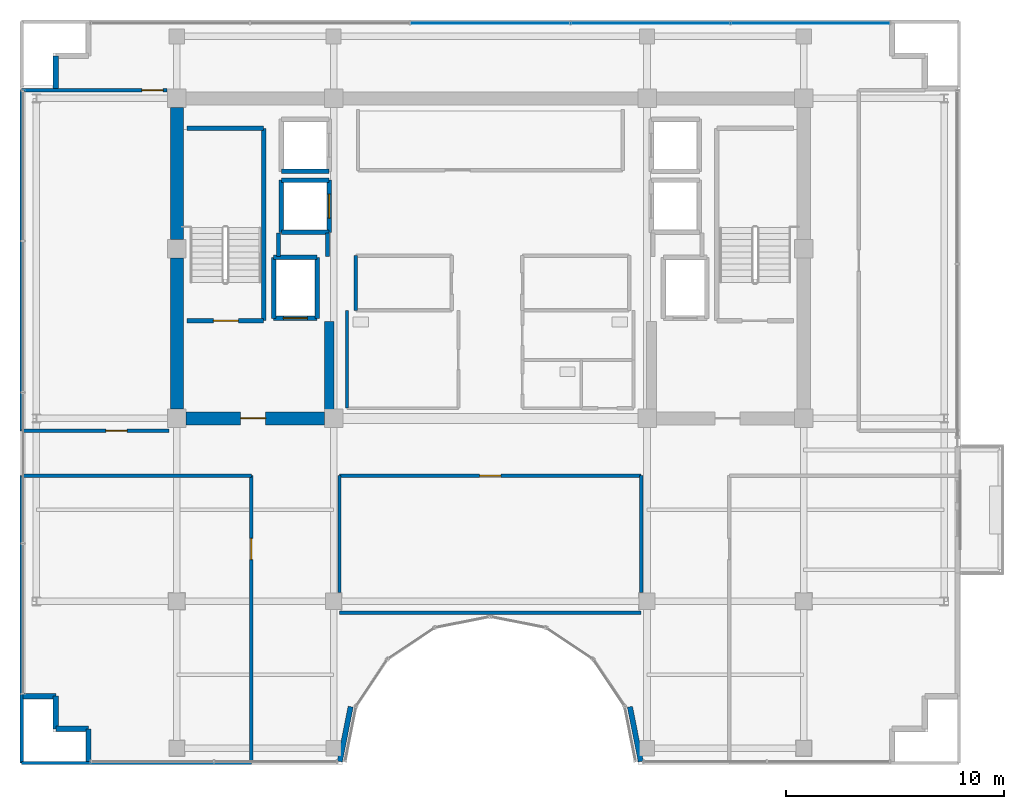
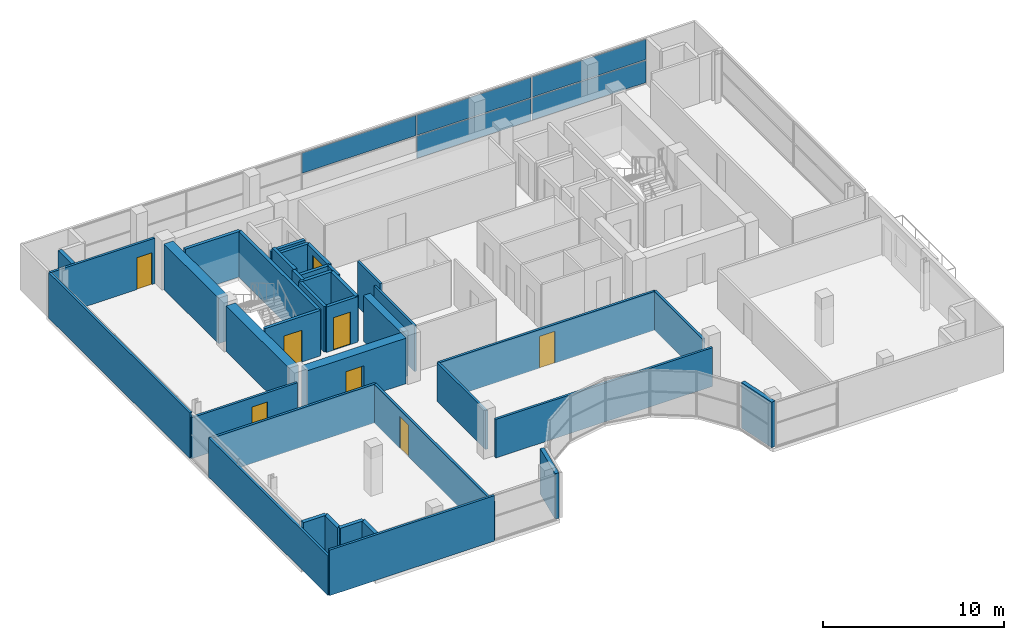
# One storey, part 23 of 29: 38 walls, 8 doors, 5 plates, 8 openings, 1 element without a shape of its own.
"""IFC4 building model written with IfcOpenShell, lengths in metres."""

from ifc_helpers import new_model, si_unit, direction, frame, frame_2d, origin, origin_2d, place, context, subcontext, project, spatial, rectangle, extrude, source, transform, mapped, material, layer, layer_set, type_object, element, fill, aggregate, save


model = new_model("IFC4")

# Units and contexts
model_context = context("Model", 3, precision=1e-05, world=origin(), true_north=direction((0.0, 1.0)))
body_context = subcontext(model_context, "Body", "Model", "MODEL_VIEW")
ifc_project = project(units=[si_unit("LENGTHUNIT", "METRE"), si_unit("AREAUNIT", "SQUARE_METRE"), si_unit("VOLUMEUNIT", "CUBIC_METRE"), si_unit("PLANEANGLEUNIT", "RADIAN"), si_unit("MASSUNIT", "GRAM", prefix="KILO")], contexts=[model_context])

# Site, building, storey
site_placement = place(None, origin())
site = spatial("IfcSite", under=ifc_project, at=site_placement, CompositionType="ELEMENT")
building_placement = place(site_placement, origin())
building = spatial("IfcBuilding", under=site, at=building_placement, Name="Zarnakvel Exchange Tower", CompositionType="ELEMENT")
storey_placement = place(building_placement, frame((0.0, 0.0, 265.0)))
storey = spatial("IfcBuildingStorey", under=building, at=storey_placement, Name="L75", CompositionType="ELEMENT", Elevation=265.0)

# Curtain wall, plates
ifc_material_1 = material(Name="Architectural Bronze Anodised Aluminium", Category="aluminium")
ifc_layer_1 = layer(ifc_material_1, 0.159912109375)
ifc_layer_set_1 = layer_set([ifc_layer_1], Name="Architectural Bronze Anodised Aluminium")
curtain_wall_type = type_object("IfcCurtainWallType", Name="CW-06", PredefinedType="NOTDEFINED", material=ifc_layer_set_1)
curtain_wall_placement = place(storey_placement, origin())
curtain_wall = element("IfcCurtainWall", 1, at=curtain_wall_placement, inside=storey, type_object=curtain_wall_type, Name="L75 Curtain Wall CW-L75-N1 (CW-06)", PredefinedType="NOTDEFINED")
ifc_material_2 = material(Name="Double Low-E Laminated Vision Glass", Category="glass")
ifc_layer_2 = layer(ifc_material_2, 0.033935546875)
ifc_layer_set_2 = layer_set([ifc_layer_2], Name="Double Low-E Laminated Vision Glass")
plate_type = type_object("IfcPlateType", Name="CWP-06", PredefinedType="CURTAIN_PANEL", material=ifc_layer_set_2)
shared_shape_1 = source(origin(), body_context, "Body", "SweptSolid", [
    extrude(rectangle(XDim=7.262451171875, YDim=0.033935546875, at=origin_2d()), origin(), (0.0, 0.0, 1.0), 1.4912109375),
])
plate_1_placement = place(storey_placement, frame((14.703857421875, 16.9599609375, 0.06494140625), z_axis=(0.0, 0.0, 1.0), x_axis=(1.0, 0.0, 0.0)))
plate_1 = element("IfcPlate", 2, at=plate_1_placement, type_object=plate_type, Name="CW-06 panel 5.1", PredefinedType="CURTAIN_PANEL", context=body_context, shape_type="MappedRepresentation", body=[
    mapped(shared_shape_1, transform((0.0, 0.0, 0.0), x_axis=(1.0, 0.0, 0.0), y_axis=(0.0, 1.0, 0.0), z_axis=(0.0, 0.0, 1.0), scale=1.0)),
])
shared_shape_2 = source(origin(), body_context, "Body", "SweptSolid", [
    extrude(rectangle(XDim=7.262451171875, YDim=0.033935546875, at=origin_2d()), origin(), (0.0, 0.0, 1.0), 1.368896484375),
])
plate_2_placement = place(storey_placement, frame((14.703857421875, 16.9599609375, 1.62109375), z_axis=(0.0, 0.0, 1.0), x_axis=(1.0, 0.0, 0.0)))
plate_2 = element("IfcPlate", 3, at=plate_2_placement, type_object=plate_type, Name="CW-06 panel 5.2", PredefinedType="CURTAIN_PANEL", context=body_context, shape_type="MappedRepresentation", body=[
    mapped(shared_shape_2, transform((0.0, 0.0, 0.0), x_axis=(1.0, 0.0, 0.0), y_axis=(0.0, 1.0, 0.0), z_axis=(0.0, 0.0, 1.0), scale=1.0)),
])
shared_shape_3 = source(origin(), body_context, "Body", "SweptSolid", [
    extrude(rectangle(XDim=7.294921875, YDim=0.033935546875, at=origin_2d()), origin(), (0.0, 0.0, 1.0), 1.4912109375),
])
plate_3_placement = place(storey_placement, frame((7.360107421875, 16.9599609375, 0.06494140625), z_axis=(0.0, 0.0, 1.0), x_axis=(1.0, 0.0, 0.0)))
plate_3 = element("IfcPlate", 4, at=plate_3_placement, type_object=plate_type, Name="CW-06 panel 4.1", PredefinedType="CURTAIN_PANEL", context=body_context, shape_type="MappedRepresentation", body=[
    mapped(shared_shape_3, transform((0.0, 0.0, 0.0), x_axis=(1.0, 0.0, 0.0), y_axis=(0.0, 1.0, 0.0), z_axis=(0.0, 0.0, 1.0), scale=1.0)),
])
shared_shape_4 = source(origin(), body_context, "Body", "SweptSolid", [
    extrude(rectangle(XDim=7.294921875, YDim=0.033935546875, at=origin_2d()), origin(), (0.0, 0.0, 1.0), 1.368896484375),
])
plate_4_placement = place(storey_placement, frame((0.0, 16.9599609375, 1.62109375), z_axis=(0.0, 0.0, 1.0), x_axis=(1.0, 0.0, 0.0)))
plate_4 = element("IfcPlate", 5, at=plate_4_placement, type_object=plate_type, Name="CW-06 panel 3.2", PredefinedType="CURTAIN_PANEL", context=body_context, shape_type="MappedRepresentation", body=[
    mapped(shared_shape_4, transform((0.0, 0.0, 0.0), x_axis=(1.0, 0.0, 0.0), y_axis=(0.0, 1.0, 0.0), z_axis=(0.0, 0.0, 1.0), scale=1.0)),
])
plate_5_placement = place(storey_placement, frame((7.360107421875, 16.9599609375, 1.62109375), z_axis=(0.0, 0.0, 1.0), x_axis=(1.0, 0.0, 0.0)))
plate_5 = element("IfcPlate", 6, at=plate_5_placement, type_object=plate_type, Name="CW-06 panel 4.2", PredefinedType="CURTAIN_PANEL", context=body_context, shape_type="MappedRepresentation", body=[
    mapped(shared_shape_4, transform((0.0, 0.0, 0.0), x_axis=(1.0, 0.0, 0.0), y_axis=(0.0, 1.0, 0.0), z_axis=(0.0, 0.0, 1.0), scale=1.0)),
])
aggregate(curtain_wall, [plate_4, plate_3, plate_5, plate_1, plate_2])

# Walls
ifc_material_3 = material(Name="Concrete C50/60", Category="concrete")
ifc_layer_3 = layer(ifc_material_3, 0.60009765625)
ifc_layer_set_3 = layer_set([ifc_layer_3], Name="Concrete C50/60")
wall_type_1 = type_object("IfcWallType", Name="CW-C5", PredefinedType="SHEAR", material=ifc_layer_set_3)
wall_1_placement = place(storey_placement, frame((-14.39990234375, -0.77490234375, 0.0), z_axis=(0.0, 0.0, 1.0), x_axis=(0.0, 1.0, 0.0)))
element("IfcWall", 7, at=wall_1_placement, inside=storey, type_object=wall_type_1, Name="L75 Rear Core Shear Wall W1 (CW-C5)", PredefinedType="SHEAR", context=body_context, shape_type="SweptSolid", body=[
    extrude(rectangle(XDim=6.949951171875, YDim=0.60009765625, at=frame_2d((3.47509765625, 0.0))), origin(), (0.0, 0.0, 1.0), 3.074951171875),
])
wall_2_placement = place(storey_placement, frame((-14.39990234375, 7.02490234375, 0.0), z_axis=(0.0, 0.0, 1.0), x_axis=(0.0, 1.0, 0.0)))
element("IfcWall", 8, at=wall_2_placement, inside=storey, type_object=wall_type_1, Name="L75 Rear Core Shear Wall W2 (CW-C5)", PredefinedType="SHEAR", context=body_context, shape_type="SweptSolid", body=[
    extrude(rectangle(XDim=6.050048828125, YDim=0.60009765625, at=frame_2d((3.02490234375, 0.0))), origin(), (0.0, 0.0, 1.0), 3.074951171875),
])

# Wall, opening, door
wall_3_placement = place(storey_placement, frame((-7.625, -1.199951171875, 0.0), z_axis=(0.0, 0.0, 1.0), x_axis=(-1.0, 0.0, 0.0)))
wall_3 = element("IfcWall", 9, at=wall_3_placement, inside=storey, type_object=wall_type_1, Name="L75 Rear Core Shear Wall SW (CW-C5)", PredefinedType="SHEAR", context=body_context, shape_type="SweptSolid", body=[
    extrude(rectangle(XDim=6.35009765625, YDim=0.60009765625, at=frame_2d((3.175048828125, 0.0))), origin(), (0.0, 0.0, 1.0), 3.074951171875),
])
opening_1_placement = place(wall_3_placement, frame((2.699951171875, 0.0, 0.0)))
opening_1 = element("IfcOpeningElement", 10, at=opening_1_placement, cuts=wall_3, Name="Opening D-L75-03", PredefinedType="OPENING", context=body_context, shape_type="SweptSolid", body=[
    extrude(rectangle(XDim=1.14990234375, YDim=2.14990234375, at=frame_2d((0.574951171875, 1.074951171875))), frame((0.0, 0.31005859375, 0.0), z_axis=(0.0, -1.0, 0.0), x_axis=(1.0, 0.0, 0.0)), (0.0, 0.0, 1.0), 0.6201171875),
])
ifc_material_4 = material(Name="Painted Galvanised Steel S355", Category="steel")
door_type_1 = type_object("IfcDoorType", Name="DT-04", OperationType="NOTDEFINED", PredefinedType="DOOR", material=ifc_material_4)
shared_shape_5 = source(origin(), body_context, "Body", "SweptSolid", [
    extrude(rectangle(XDim=1.14990234375, YDim=2.14990234375, at=frame_2d((0.574951171875, 1.074951171875))), frame((0.0, 0.02490234375, 0.0), z_axis=(0.0, -1.0, 0.0), x_axis=(1.0, 0.0, 0.0)), (0.0, 0.0, 1.0), 0.050048828125),
])
door_1_placement = place(opening_1_placement, origin())
door_1 = element("IfcDoor", 11, at=door_1_placement, inside=storey, type_object=door_type_1, Name="L75 Firefighting Lobby West Door D-L75-03", OperationType="SINGLE_SWING_LEFT", OverallHeight=2.14990234375, OverallWidth=1.14990234375, PredefinedType="DOOR", context=body_context, shape_type="MappedRepresentation", body=[
    mapped(shared_shape_5, transform((0.0, 0.0, 0.0), x_axis=(1.0, 0.0, 0.0), y_axis=(0.0, 1.0, 0.0), z_axis=(0.0, 0.0, 1.0), scale=1.0)),
])
fill(opening_1, door_1)

# Walls
ifc_layer_4 = layer(ifc_material_3, 0.449951171875)
ifc_layer_set_4 = layer_set([ifc_layer_4], Name="Concrete C50/60")
wall_type_2 = type_object("IfcWallType", Name="CW-C6", PredefinedType="SHEAR", material=ifc_layer_set_4)
wall_4_placement = place(storey_placement, frame((-7.39990234375, -0.89990234375, 0.0), z_axis=(0.0, 0.0, 1.0), x_axis=(0.0, 1.0, 0.0)))
element("IfcWall", 12, at=wall_4_placement, inside=storey, type_object=wall_type_2, Name="L75 Rear Core Shear Wall IW (CW-C6)", PredefinedType="SHEAR", context=body_context, shape_type="SweptSolid", body=[
    extrude(rectangle(XDim=4.14990234375, YDim=0.449951171875, at=frame_2d((2.074951171875, 0.0))), origin(), (0.0, 0.0, 1.0), 3.074951171875),
])
ifc_material_5 = material(Name="Precast concrete C40/50", Category="concrete")
ifc_layer_5 = layer(ifc_material_5, 0.239990234375)
ifc_layer_set_5 = layer_set([ifc_layer_5], Name="Precast concrete C40/50")
wall_type_3 = type_object("IfcWallType", Name="EW-02", PredefinedType="SOLIDWALL", material=ifc_layer_set_5)
wall_5_placement = place(storey_placement, frame((-19.9599609375, 15.4599609375, 0.0), z_axis=(0.0, 0.0, 1.0), x_axis=(0.0, -1.0, 0.0)))
element("IfcWall", 13, at=wall_5_placement, inside=storey, type_object=wall_type_3, Name="L75 Exterior Precast Spandrel Wall EWC-L75-02 (EW-02)", PredefinedType="SOLIDWALL", context=body_context, shape_type="SweptSolid", body=[
    extrude(rectangle(XDim=1.5, YDim=0.239990234375, at=frame_2d((0.75, 0.0))), origin(), (0.0, 0.0, 1.0), 3.074951171875),
])
for number, where, z_axis, x_axis, name in (
    (14, (6.414306640625, -14.443115234375, 0.0), (0.0, 0.0, 1.0), (0.195036545742, -0.980795975637, 0.0), "L75 Exterior Precast Spandrel Wall EWC-L75-15 (EW-02)"),
    (15, (-6.914794921875, -16.9599609375, 0.0), (0.0, 0.0, 1.0), (0.195036545742, 0.980795975637, 0.0), "L75 Exterior Precast Spandrel Wall EWC-L75-16 (EW-02)"),
):
    element("IfcWall", number, at=place(storey_placement, frame(where, z_axis=z_axis, x_axis=x_axis)), inside=storey, type_object=wall_type_3, Name=name, PredefinedType="SOLIDWALL", context=body_context, shape_type="SweptSolid", body=[
        extrude(rectangle(XDim=2.566162109375, YDim=0.239990234375, at=frame_2d((1.283203125, 0.0))), origin(), (0.0, 0.0, 1.0), 3.074951171875),
    ])
for number, where, z_axis, x_axis, name in (
    (16, (-18.4599609375, -15.4599609375, 0.0), (0.0, 0.0, 1.0), (0.0, -1.0, 0.0), "L75 Exterior Precast Spandrel Wall EWC-L75-17 (EW-02)"),
    (17, (-19.9599609375, -15.4599609375, 0.0), (0.0, 0.0, 1.0), (1.0, 0.0, 0.0), "L75 Exterior Precast Spandrel Wall EWC-L75-18 (EW-02)"),
    (18, (-19.9599609375, -13.9599609375, 0.0), (0.0, 0.0, 1.0), (0.0, -1.0, 0.0), "L75 Exterior Precast Spandrel Wall EWC-L75-19 (EW-02)"),
    (19, (-21.4599609375, -13.9599609375, 0.0), (0.0, 0.0, 1.0), (1.0, 0.0, 0.0), "L75 Exterior Precast Spandrel Wall EWC-L75-20 (EW-02)"),
):
    element("IfcWall", number, at=place(storey_placement, frame(where, z_axis=z_axis, x_axis=x_axis)), inside=storey, type_object=wall_type_3, Name=name, PredefinedType="SOLIDWALL", context=body_context, shape_type="SweptSolid", body=[
        extrude(rectangle(XDim=1.5, YDim=0.239990234375, at=frame_2d((0.75, 0.0))), origin(), (0.0, 0.0, 1.0), 3.074951171875),
    ])
ifc_material_6 = material(Name="Fire-Rated Gypsum Stud Partition", Category="gypsum")
ifc_layer_6 = layer(ifc_material_6, 0.14990234375)
ifc_layer_set_6 = layer_set([ifc_layer_6], Name="Fire-Rated Gypsum Stud Partition")
wall_type_4 = type_object("IfcWallType", Name="PT-01", PredefinedType="PARTITIONING", material=ifc_layer_set_6)
wall_6_placement = place(storey_placement, frame((-6.179931640625, 3.760009765625, 0.0), z_axis=(0.0, 0.0, 1.0), x_axis=(0.0, 1.0, 0.0)))
element("IfcWall", 20, at=wall_6_placement, inside=storey, type_object=wall_type_4, Name="L75 Partition Wall PWALL-L75-016 (PT-01)", PredefinedType="PARTITIONING", context=body_context, shape_type="SweptSolid", body=[
    extrude(rectangle(XDim=2.52001953125, YDim=0.14990234375, at=frame_2d((1.260009765625, 0.0))), origin(), (0.0, 0.0, 1.0), 3.074951171875),
])
wall_7_placement = place(storey_placement, frame((-10.97998046875, -17.030029296875, 0.0), z_axis=(0.0, 0.0, 1.0), x_axis=(-1.0, 0.0, 0.0)))
element("IfcWall", 21, at=wall_7_placement, inside=storey, type_object=wall_type_4, Name="L75 Partition Wall PWALL-L75-033 (PT-01)", PredefinedType="PARTITIONING", context=body_context, shape_type="SweptSolid", body=[
    extrude(rectangle(XDim=10.550048828125, YDim=0.14990234375, at=frame_2d((5.27490234375, 0.0))), origin(), (0.0, 0.0, 1.0), 3.074951171875),
])
wall_8_placement = place(storey_placement, frame((-21.530029296875, -3.830078125, 0.0), z_axis=(0.0, 0.0, 1.0), x_axis=(1.0, 0.0, 0.0)))
element("IfcWall", 22, at=wall_8_placement, inside=storey, type_object=wall_type_4, Name="L75 Partition Wall PWALL-L75-034 (PT-01)", PredefinedType="PARTITIONING", context=body_context, shape_type="SweptSolid", body=[
    extrude(rectangle(XDim=10.550048828125, YDim=0.14990234375, at=frame_2d((5.27490234375, 0.0))), origin(), (0.0, 0.0, 1.0), 2.614990234375),
])
wall_9_placement = place(storey_placement, frame((-21.530029296875, -17.030029296875, 0.0), z_axis=(0.0, 0.0, 1.0), x_axis=(0.0, 1.0, 0.0)))
element("IfcWall", 23, at=wall_9_placement, inside=storey, type_object=wall_type_4, Name="L75 Partition Wall PWALL-L75-035 (PT-01)", PredefinedType="PARTITIONING", context=body_context, shape_type="SweptSolid", body=[
    extrude(rectangle(XDim=13.199951171875, YDim=0.14990234375, at=frame_2d((6.60009765625, 0.0))), origin(), (0.0, 0.0, 1.0), 2.6650390625),
])

# Wall, opening, door
wall_10_placement = place(storey_placement, frame((-10.97998046875, -3.830078125, 0.0), z_axis=(0.0, 0.0, 1.0), x_axis=(0.0, -1.0, 0.0)))
wall_10 = element("IfcWall", 24, at=wall_10_placement, inside=storey, type_object=wall_type_4, Name="L75 Partition Wall PWALL-L75-036 (PT-01)", PredefinedType="PARTITIONING", context=body_context, shape_type="SweptSolid", body=[
    extrude(rectangle(XDim=13.199951171875, YDim=0.14990234375, at=frame_2d((6.60009765625, 0.0))), origin(), (0.0, 0.0, 1.0), 2.614990234375),
])
opening_2_placement = place(wall_10_placement, frame((2.8798828125, 0.0, 0.0)))
opening_2 = element("IfcOpeningElement", 25, at=opening_2_placement, cuts=wall_10, Name="Opening D-L75-12", PredefinedType="OPENING", context=body_context, shape_type="SweptSolid", body=[
    extrude(rectangle(XDim=0.97998046875, YDim=2.14990234375, at=frame_2d((0.489990234375, 1.074951171875))), frame((0.0, 0.0849609375, 0.0), z_axis=(0.0, -1.0, 0.0), x_axis=(1.0, 0.0, 0.0)), (0.0, 0.0, 1.0), 0.169921875),
])
ifc_material_7 = material(Name="Timber Acoustic Veneer", Category="wood")
door_type_2 = type_object("IfcDoorType", Name="DT-05", OperationType="NOTDEFINED", PredefinedType="DOOR", material=ifc_material_7)
shared_shape_6 = source(origin(), body_context, "Body", "SweptSolid", [
    extrude(rectangle(XDim=0.97998046875, YDim=2.14990234375, at=frame_2d((0.489990234375, 1.074951171875))), frame((0.0, 0.02490234375, 0.0), z_axis=(0.0, -1.0, 0.0), x_axis=(1.0, 0.0, 0.0)), (0.0, 0.0, 1.0), 0.050048828125),
])
door_2_placement = place(opening_2_placement, origin())
door_2 = element("IfcDoor", 26, at=door_2_placement, inside=storey, type_object=door_type_2, Name="L75 Commodities Dealing Room Door D-L75-12", OperationType="SINGLE_SWING_RIGHT", OverallHeight=2.14990234375, OverallWidth=0.97998046875, PredefinedType="DOOR", context=body_context, shape_type="MappedRepresentation", body=[
    mapped(shared_shape_6, transform((0.0, 0.0, 0.0), x_axis=(1.0, 0.0, 0.0), y_axis=(0.0, 1.0, 0.0), z_axis=(0.0, 0.0, 1.0), scale=1.0)),
])
fill(opening_2, door_2)

# Wall
wall_11_placement = place(storey_placement, frame((6.929931640625, -10.1298828125, 0.0), z_axis=(0.0, 0.0, 1.0), x_axis=(-1.0, 0.0, 0.0)))
element("IfcWall", 27, at=wall_11_placement, inside=storey, type_object=wall_type_4, Name="L75 Partition Wall PWALL-L75-041 (PT-01)", PredefinedType="PARTITIONING", context=body_context, shape_type="SweptSolid", body=[
    extrude(rectangle(XDim=13.85986328125, YDim=0.14990234375, at=frame_2d((6.929931640625, 0.0))), origin(), (0.0, 0.0, 1.0), 2.614990234375),
])

# Wall, opening, door
wall_12_placement = place(storey_placement, frame((-6.929931640625, -3.830078125, 0.0), z_axis=(0.0, 0.0, 1.0), x_axis=(1.0, 0.0, 0.0)))
wall_12 = element("IfcWall", 28, at=wall_12_placement, inside=storey, type_object=wall_type_4, Name="L75 Partition Wall PWALL-L75-042 (PT-01)", PredefinedType="PARTITIONING", context=body_context, shape_type="SweptSolid", body=[
    extrude(rectangle(XDim=13.85986328125, YDim=0.14990234375, at=frame_2d((6.929931640625, 0.0))), origin(), (0.0, 0.0, 1.0), 2.614990234375),
])
opening_3_placement = place(wall_12_placement, frame((6.43994140625, 0.0, 0.0)))
opening_3 = element("IfcOpeningElement", 29, at=opening_3_placement, cuts=wall_12, Name="Opening D-L75-14", PredefinedType="OPENING", context=body_context, shape_type="SweptSolid", body=[
    extrude(rectangle(XDim=0.97998046875, YDim=2.14990234375, at=frame_2d((0.489990234375, 1.074951171875))), frame((0.0, 0.0849609375, 0.0), z_axis=(0.0, -1.0, 0.0), x_axis=(1.0, 0.0, 0.0)), (0.0, 0.0, 1.0), 0.169921875),
])
door_3_placement = place(opening_3_placement, origin())
door_3 = element("IfcDoor", 30, at=door_3_placement, inside=storey, type_object=door_type_2, Name="L75 Breakout Lounge Door D-L75-14", OperationType="SINGLE_SWING_RIGHT", OverallHeight=2.14990234375, OverallWidth=0.97998046875, PredefinedType="DOOR", context=body_context, shape_type="MappedRepresentation", body=[
    mapped(shared_shape_6, transform((0.0, 0.0, 0.0), x_axis=(1.0, 0.0, 0.0), y_axis=(0.0, 1.0, 0.0), z_axis=(0.0, 0.0, 1.0), scale=1.0)),
])
fill(opening_3, door_3)

# Walls
for number, where, z_axis, x_axis, name in (
    (31, (-6.929931640625, -9.205078125, 0.0), (0.0, 0.0, 1.0), (0.0, 1.0, 0.0), "L75 Partition Wall PWALL-L75-043 (PT-01)"),
    (32, (6.929931640625, -3.830078125, 0.0), (0.0, 0.0, 1.0), (0.0, -1.0, 0.0), "L75 Partition Wall PWALL-L75-044 (PT-01)"),
):
    element("IfcWall", number, at=place(storey_placement, frame(where, z_axis=z_axis, x_axis=x_axis)), inside=storey, type_object=wall_type_4, Name=name, PredefinedType="PARTITIONING", context=body_context, shape_type="SweptSolid", body=[
        extrude(rectangle(XDim=5.375, YDim=0.14990234375, at=frame_2d((2.6875, 0.0))), origin(), (0.0, 0.0, 1.0), 2.614990234375),
    ])

# Wall, opening, door
wall_13_placement = place(storey_placement, frame((-14.77001953125, -1.77001953125, 0.0), z_axis=(0.0, 0.0, 1.0), x_axis=(-1.0, 0.0, 0.0)))
wall_13 = element("IfcWall", 33, at=wall_13_placement, inside=storey, type_object=wall_type_4, Name="L75 Partition Wall PWALL-L75-045 (PT-01)", PredefinedType="PARTITIONING", context=body_context, shape_type="SweptSolid", body=[
    extrude(rectangle(XDim=6.760009765625, YDim=0.14990234375, at=frame_2d((3.3798828125, 0.0))), origin(), (0.0, 0.0, 1.0), 2.764892578125),
])
opening_4_placement = place(wall_13_placement, frame((1.9150390625, 0.0, 0.0)))
opening_4 = element("IfcOpeningElement", 34, at=opening_4_placement, cuts=wall_13, Name="Opening D-L75-15", PredefinedType="OPENING", context=body_context, shape_type="SweptSolid", body=[
    extrude(rectangle(XDim=0.97998046875, YDim=2.14990234375, at=frame_2d((0.489990234375, 1.074951171875))), frame((0.0, 0.0849609375, 0.0), z_axis=(0.0, -1.0, 0.0), x_axis=(1.0, 0.0, 0.0)), (0.0, 0.0, 1.0), 0.169921875),
])
door_4_placement = place(opening_4_placement, origin())
door_4 = element("IfcDoor", 35, at=door_4_placement, inside=storey, type_object=door_type_2, Name="L75 Boardroom Door D-L75-15", OperationType="SINGLE_SWING_LEFT", OverallHeight=2.14990234375, OverallWidth=0.97998046875, PredefinedType="DOOR", context=body_context, shape_type="MappedRepresentation", body=[
    mapped(shared_shape_6, transform((0.0, 0.0, 0.0), x_axis=(1.0, 0.0, 0.0), y_axis=(0.0, 1.0, 0.0), z_axis=(0.0, 0.0, 1.0), scale=1.0)),
])
fill(opening_4, door_4)

wall_14_placement = place(storey_placement, frame((-21.530029296875, 13.8798828125, 0.0), z_axis=(0.0, 0.0, 1.0), x_axis=(1.0, 0.0, 0.0)))
wall_14 = element("IfcWall", 36, at=wall_14_placement, inside=storey, type_object=wall_type_4, Name="L75 Partition Wall PWALL-L75-046 (PT-01)", PredefinedType="PARTITIONING", context=body_context, shape_type="SweptSolid", body=[
    extrude(rectangle(XDim=6.68505859375, YDim=0.14990234375, at=frame_2d((3.342529296875, 0.0))), origin(), (0.0, 0.0, 1.0), 3.074951171875),
])
opening_5_placement = place(wall_14_placement, frame((5.52490234375, 0.0, 0.0)))
opening_5 = element("IfcOpeningElement", 37, at=opening_5_placement, cuts=wall_14, Name="Opening D-L75-17", PredefinedType="OPENING", context=body_context, shape_type="SweptSolid", body=[
    extrude(rectangle(XDim=0.97998046875, YDim=2.14990234375, at=frame_2d((0.489990234375, 1.074951171875))), frame((0.0, 0.0849609375, 0.0), z_axis=(0.0, -1.0, 0.0), x_axis=(1.0, 0.0, 0.0)), (0.0, 0.0, 1.0), 0.169921875),
])
door_5_placement = place(opening_5_placement, origin())
door_5 = element("IfcDoor", 38, at=door_5_placement, inside=storey, type_object=door_type_2, Name="L75 Fintech Workspace Door D-L75-17", OperationType="SINGLE_SWING_LEFT", OverallHeight=2.14990234375, OverallWidth=0.97998046875, PredefinedType="DOOR", context=body_context, shape_type="MappedRepresentation", body=[
    mapped(shared_shape_6, transform((0.0, 0.0, 0.0), x_axis=(1.0, 0.0, 0.0), y_axis=(0.0, 1.0, 0.0), z_axis=(0.0, 0.0, 1.0), scale=1.0)),
])
fill(opening_5, door_5)

# Walls
wall_15_placement = place(storey_placement, frame((-21.530029296875, -1.77001953125, 0.0), z_axis=(0.0, 0.0, 1.0), x_axis=(0.0, 1.0, 0.0)))
element("IfcWall", 39, at=wall_15_placement, inside=storey, type_object=wall_type_4, Name="L75 Partition Wall PWALL-L75-047 (PT-01)", PredefinedType="PARTITIONING", context=body_context, shape_type="SweptSolid", body=[
    extrude(rectangle(XDim=15.64990234375, YDim=0.14990234375, at=frame_2d((7.824951171875, 0.0))), origin(), (0.0, 0.0, 1.0), 3.074951171875),
])
ifc_layer_7 = layer(ifc_material_6, 0.179931640625)
ifc_layer_set_7 = layer_set([ifc_layer_7], Name="Fire-Rated Gypsum Stud Partition")
wall_type_5 = type_object("IfcWallType", Name="PT-02", PredefinedType="PARTITIONING", material=ifc_layer_set_7)
wall_16_placement = place(storey_placement, frame((-9.72998046875, 6.239990234375, 0.0), z_axis=(0.0, 0.0, 1.0), x_axis=(0.0, 1.0, 0.0)))
element("IfcWall", 40, at=wall_16_placement, inside=storey, type_object=wall_type_5, Name="L75 Partition Wall PWALL-L75-007 (PT-02)", PredefinedType="PARTITIONING", context=body_context, shape_type="SweptSolid", body=[
    extrude(rectangle(XDim=1.090087890625, YDim=0.179931640625, at=frame_2d((0.544921875, 0.0))), origin(), (0.0, 0.0, 1.0), 3.074951171875),
])
wall_17_placement = place(storey_placement, frame((-7.469970703125, 7.330078125, 0.0), z_axis=(0.0, 0.0, 1.0), x_axis=(0.0, -1.0, 0.0)))
element("IfcWall", 41, at=wall_17_placement, inside=storey, type_object=wall_type_5, Name="L75 Partition Wall PWALL-L75-008 (PT-02)", PredefinedType="PARTITIONING", context=body_context, shape_type="SweptSolid", body=[
    extrude(rectangle(XDim=1.090087890625, YDim=0.179931640625, at=frame_2d((0.544921875, 0.0))), origin(), (0.0, 0.0, 1.0), 2.614990234375),
])
ifc_material_8 = material(Name="Moisture-Resistant Tile-Faced Partition", Category="gypsum")
ifc_layer_8 = layer(ifc_material_8, 0.135009765625)
ifc_layer_set_8 = layer_set([ifc_layer_8], Name="Moisture-Resistant Tile-Faced Partition")
wall_type_6 = type_object("IfcWallType", Name="PT-03", PredefinedType="PARTITIONING", material=ifc_layer_set_8)
wall_18_placement = place(storey_placement, frame((-6.580078125, -0.72998046875, 0.0), z_axis=(0.0, 0.0, 1.0), x_axis=(0.0, 1.0, 0.0)))
element("IfcWall", 42, at=wall_18_placement, inside=storey, type_object=wall_type_6, Name="L75 Partition Wall PWALL-L75-023 (PT-03)", PredefinedType="PARTITIONING", context=body_context, shape_type="SweptSolid", body=[
    extrude(rectangle(XDim=4.489990234375, YDim=0.135009765625, at=frame_2d((2.2451171875, 0.0))), origin(), (0.0, 0.0, 1.0), 3.074951171875),
])

# Wall, opening, door
ifc_material_9 = material(Name="Concrete C40/50", Category="concrete")
ifc_layer_9 = layer(ifc_material_9, 0.199951171875)
ifc_layer_set_9 = layer_set([ifc_layer_9], Name="Concrete C40/50")
wall_type_7 = type_object("IfcWallType", Name="SW-01", PredefinedType="SOLIDWALL", material=ifc_layer_set_9)
wall_19_placement = place(storey_placement, frame((-7.949951171875, 3.39990234375, 0.0), z_axis=(0.0, 0.0, 1.0), x_axis=(-1.0, 0.0, 0.0)))
wall_19 = element("IfcWall", 43, at=wall_19_placement, inside=storey, type_object=wall_type_7, Name="L75 FL-01 Hoistway Wall South", PredefinedType="SOLIDWALL", context=body_context, shape_type="SweptSolid", body=[
    extrude(rectangle(XDim=2.0, YDim=0.199951171875, at=frame_2d((1.0, 0.0))), origin(), (0.0, 0.0, 1.0), 3.074951171875),
])
opening_6_placement = place(wall_19_placement, frame((0.449951171875, 0.0, 0.0)))
opening_6 = element("IfcOpeningElement", 44, at=opening_6_placement, cuts=wall_19, Name="Opening LD-FL-01-L75", PredefinedType="OPENING", context=body_context, shape_type="SweptSolid", body=[
    extrude(rectangle(XDim=1.10009765625, YDim=2.199951171875, at=frame_2d((0.550048828125, 1.10009765625))), frame((0.0, 0.10986328125, 0.0), z_axis=(0.0, -1.0, 0.0), x_axis=(1.0, 0.0, 0.0)), (0.0, 0.0, 1.0), 0.219970703125),
])
ifc_material_10 = material(Name="Brushed Stainless Steel", Category="steel")
door_type_3 = type_object("IfcDoorType", Name="LDT-01", OperationType="NOTDEFINED", PredefinedType="DOOR", material=ifc_material_10)
shared_shape_7 = source(origin(), body_context, "Body", "SweptSolid", [
    extrude(rectangle(XDim=1.10009765625, YDim=2.199951171875, at=frame_2d((0.550048828125, 1.10009765625))), frame((0.0, 0.02490234375, 0.0), z_axis=(0.0, -1.0, 0.0), x_axis=(1.0, 0.0, 0.0)), (0.0, 0.0, 1.0), 0.050048828125),
])
door_6_placement = place(opening_6_placement, origin())
door_6 = element("IfcDoor", 45, at=door_6_placement, inside=storey, type_object=door_type_3, Name="L75 FL-01 Lift Landing Door LD-FL-01-L75", OperationType="DOUBLE_DOOR_SLIDING", OverallHeight=2.199951171875, OverallWidth=1.10009765625, PredefinedType="DOOR", context=body_context, shape_type="MappedRepresentation", body=[
    mapped(shared_shape_7, transform((0.0, 0.0, 0.0), x_axis=(1.0, 0.0, 0.0), y_axis=(0.0, 1.0, 0.0), z_axis=(0.0, 0.0, 1.0), scale=1.0)),
])
fill(opening_6, door_6)

# Walls
wall_20_placement = place(storey_placement, frame((-9.949951171875, 6.199951171875, 0.0), z_axis=(0.0, 0.0, 1.0), x_axis=(1.0, 0.0, 0.0)))
element("IfcWall", 46, at=wall_20_placement, inside=storey, type_object=wall_type_7, Name="L75 FL-01 Hoistway Wall North", PredefinedType="SOLIDWALL", context=body_context, shape_type="SweptSolid", body=[
    extrude(rectangle(XDim=2.0, YDim=0.199951171875, at=frame_2d((1.0, 0.0))), origin(), (0.0, 0.0, 1.0), 3.074951171875),
])
for number, where, z_axis, x_axis, name in (
    (47, (-9.949951171875, 3.39990234375, 0.0), (0.0, 0.0, 1.0), (0.0, 1.0, 0.0), "L75 FL-01 Hoistway Wall West"),
    (48, (-7.949951171875, 6.199951171875, 0.0), (0.0, 0.0, 1.0), (0.0, -1.0, 0.0), "L75 FL-01 Hoistway Wall East"),
):
    element("IfcWall", number, at=place(storey_placement, frame(where, z_axis=z_axis, x_axis=x_axis)), inside=storey, type_object=wall_type_7, Name=name, PredefinedType="SOLIDWALL", context=body_context, shape_type="SweptSolid", body=[
        extrude(rectangle(XDim=2.800048828125, YDim=0.199951171875, at=frame_2d((1.39990234375, 0.0))), origin(), (0.0, 0.0, 1.0), 3.074951171875),
    ])
for number, where, z_axis, x_axis, name in (
    (49, (-7.39990234375, 7.35009765625, 0.0), (0.0, 0.0, 1.0), (-1.0, 0.0, 0.0), "L75 PL-09 Hoistway Wall South"),
    (50, (-9.60009765625, 9.75, 0.0), (0.0, 0.0, 1.0), (1.0, 0.0, 0.0), "L75 PL-09 Hoistway Wall North"),
):
    element("IfcWall", number, at=place(storey_placement, frame(where, z_axis=z_axis, x_axis=x_axis)), inside=storey, type_object=wall_type_7, Name=name, PredefinedType="SOLIDWALL", context=body_context, shape_type="SweptSolid", body=[
        extrude(rectangle(XDim=2.2001953125, YDim=0.199951171875, at=frame_2d((1.10009765625, 0.0))), origin(), (0.0, 0.0, 1.0), 2.614990234375),
    ])
wall_21_placement = place(storey_placement, frame((-9.60009765625, 7.35009765625, 0.0), z_axis=(0.0, 0.0, 1.0), x_axis=(0.0, 1.0, 0.0)))
element("IfcWall", 51, at=wall_21_placement, inside=storey, type_object=wall_type_7, Name="L75 PL-09 Hoistway Wall West", PredefinedType="SOLIDWALL", context=body_context, shape_type="SweptSolid", body=[
    extrude(rectangle(XDim=2.39990234375, YDim=0.199951171875, at=frame_2d((1.199951171875, 0.0))), origin(), (0.0, 0.0, 1.0), 3.074951171875),
])

# Wall, opening, door
wall_22_placement = place(storey_placement, frame((-7.39990234375, 9.75, 0.0), z_axis=(0.0, 0.0, 1.0), x_axis=(0.0, -1.0, 0.0)))
wall_22 = element("IfcWall", 52, at=wall_22_placement, inside=storey, type_object=wall_type_7, Name="L75 PL-09 Hoistway Wall East", PredefinedType="SOLIDWALL", context=body_context, shape_type="SweptSolid", body=[
    extrude(rectangle(XDim=2.39990234375, YDim=0.199951171875, at=frame_2d((1.199951171875, 0.0))), origin(), (0.0, 0.0, 1.0), 2.614990234375),
])
opening_7_placement = place(wall_22_placement, frame((0.64990234375, 0.0, 0.0)))
opening_7 = element("IfcOpeningElement", 53, at=opening_7_placement, cuts=wall_22, Name="Opening LD-PL-09-L75", PredefinedType="OPENING", context=body_context, shape_type="SweptSolid", body=[
    extrude(rectangle(XDim=1.10009765625, YDim=2.199951171875, at=frame_2d((0.550048828125, 1.10009765625))), frame((0.0, 0.10986328125, 0.0), z_axis=(0.0, -1.0, 0.0), x_axis=(1.0, 0.0, 0.0)), (0.0, 0.0, 1.0), 0.219970703125),
])
door_type_4 = type_object("IfcDoorType", Name="LDT-02", OperationType="NOTDEFINED", PredefinedType="DOOR", material=ifc_material_1)
door_7_placement = place(opening_7_placement, origin())
door_7 = element("IfcDoor", 54, at=door_7_placement, inside=storey, type_object=door_type_4, Name="L75 PL-09 Lift Landing Door LD-PL-09-L75", OperationType="DOUBLE_DOOR_SLIDING", OverallHeight=2.199951171875, OverallWidth=1.10009765625, PredefinedType="DOOR", context=body_context, shape_type="MappedRepresentation", body=[
    mapped(shared_shape_7, transform((0.0, 0.0, 0.0), x_axis=(1.0, 0.0, 0.0), y_axis=(0.0, 1.0, 0.0), z_axis=(0.0, 0.0, 1.0), scale=1.0)),
])
fill(opening_7, door_7)

# Wall
wall_23_placement = place(storey_placement, frame((-7.39990234375, 10.14990234375, 0.0), z_axis=(0.0, 0.0, 1.0), x_axis=(-1.0, 0.0, 0.0)))
element("IfcWall", 55, at=wall_23_placement, inside=storey, type_object=wall_type_7, Name="L75 PL-10 Hoistway Wall South", PredefinedType="SOLIDWALL", context=body_context, shape_type="SweptSolid", body=[
    extrude(rectangle(XDim=2.2001953125, YDim=0.199951171875, at=frame_2d((1.10009765625, 0.0))), origin(), (0.0, 0.0, 1.0), 2.614990234375),
])

# Wall, opening, door
ifc_layer_10 = layer(ifc_material_9, 0.199951171875)
ifc_layer_set_10 = layer_set([ifc_layer_10], Name="Concrete C40/50")
wall_type_8 = type_object("IfcWallType", Name="SW-02", PredefinedType="SOLIDWALL", material=ifc_layer_set_10)
wall_24_placement = place(storey_placement, frame((-10.409912109375, 3.2900390625, 0.0), z_axis=(0.0, 0.0, 1.0), x_axis=(-1.0, 0.0, 0.0)))
wall_24 = element("IfcWall", 56, at=wall_24_placement, inside=storey, type_object=wall_type_8, Name="L75 Stairwell Core Wall PWALL-L75-001 (SW-02)", PredefinedType="SOLIDWALL", context=body_context, shape_type="SweptSolid", body=[
    extrude(rectangle(XDim=3.52001953125, YDim=0.199951171875, at=frame_2d((1.760009765625, 0.0))), origin(), (0.0, 0.0, 1.0), 3.074951171875),
])
opening_8_placement = place(wall_24_placement, frame((1.1650390625, 0.0, 0.0)))
opening_8 = element("IfcOpeningElement", 57, at=opening_8_placement, cuts=wall_24, Name="Opening D-L75-01", PredefinedType="OPENING", context=body_context, shape_type="SweptSolid", body=[
    extrude(rectangle(XDim=1.14990234375, YDim=2.14990234375, at=frame_2d((0.574951171875, 1.074951171875))), frame((0.0, 0.10986328125, 0.0), z_axis=(0.0, -1.0, 0.0), x_axis=(1.0, 0.0, 0.0)), (0.0, 0.0, 1.0), 0.219970703125),
])
door_8_placement = place(opening_8_placement, origin())
door_8 = element("IfcDoor", 58, at=door_8_placement, inside=storey, type_object=door_type_1, Name="L75 Stairwell ST-01 Door D-L75-01", OperationType="SINGLE_SWING_LEFT", OverallHeight=2.14990234375, OverallWidth=1.14990234375, PredefinedType="DOOR", context=body_context, shape_type="MappedRepresentation", body=[
    mapped(shared_shape_5, transform((0.0, 0.0, 0.0), x_axis=(1.0, 0.0, 0.0), y_axis=(0.0, 1.0, 0.0), z_axis=(0.0, 0.0, 1.0), scale=1.0)),
])
fill(opening_8, door_8)

# Walls
wall_25_placement = place(storey_placement, frame((-13.929931640625, 12.1298828125, 0.0), z_axis=(0.0, 0.0, 1.0), x_axis=(1.0, 0.0, 0.0)))
element("IfcWall", 59, at=wall_25_placement, inside=storey, type_object=wall_type_8, Name="L75 Stairwell Core Wall PWALL-L75-002 (SW-02)", PredefinedType="SOLIDWALL", context=body_context, shape_type="SweptSolid", body=[
    extrude(rectangle(XDim=3.52001953125, YDim=0.199951171875, at=frame_2d((1.760009765625, 0.0))), origin(), (0.0, 0.0, 1.0), 3.074951171875),
])
wall_26_placement = place(storey_placement, frame((-10.409912109375, 12.1298828125, 0.0), z_axis=(0.0, 0.0, 1.0), x_axis=(0.0, -1.0, 0.0)))
element("IfcWall", 60, at=wall_26_placement, inside=storey, type_object=wall_type_8, Name="L75 Stairwell Core Wall PWALL-L75-003 (SW-02)", PredefinedType="SOLIDWALL", context=body_context, shape_type="SweptSolid", body=[
    extrude(rectangle(XDim=8.83984375, YDim=0.199951171875, at=frame_2d((4.419921875, 0.0))), origin(), (0.0, 0.0, 1.0), 3.074951171875),
])

save(model, "model.ifc")
